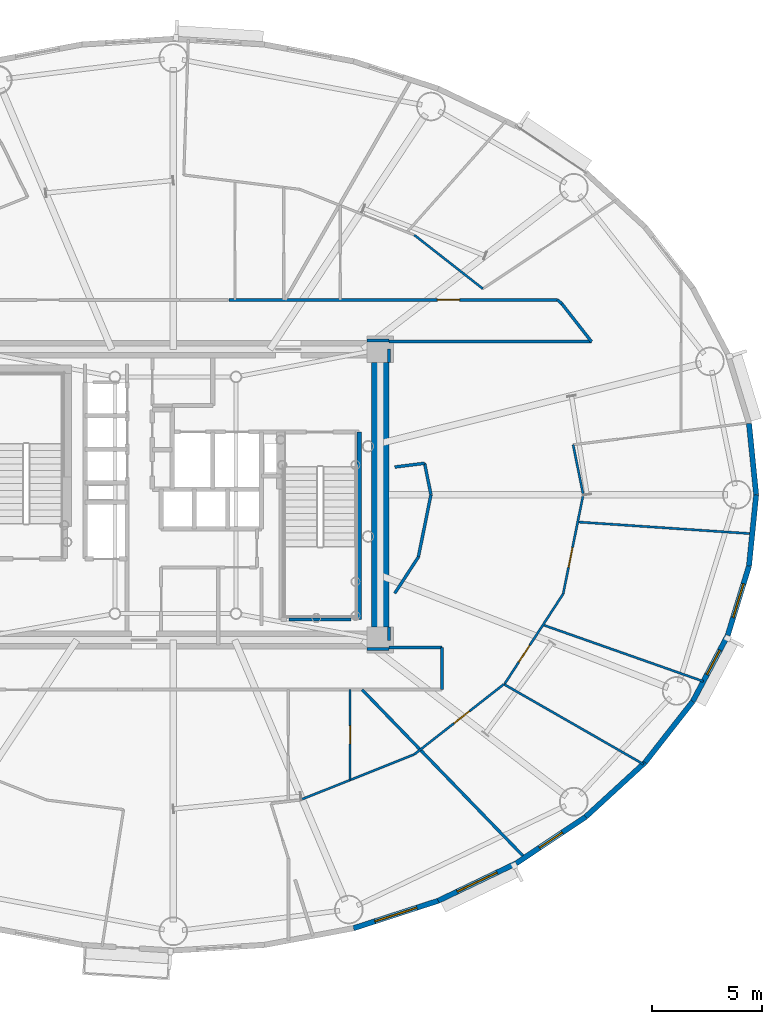
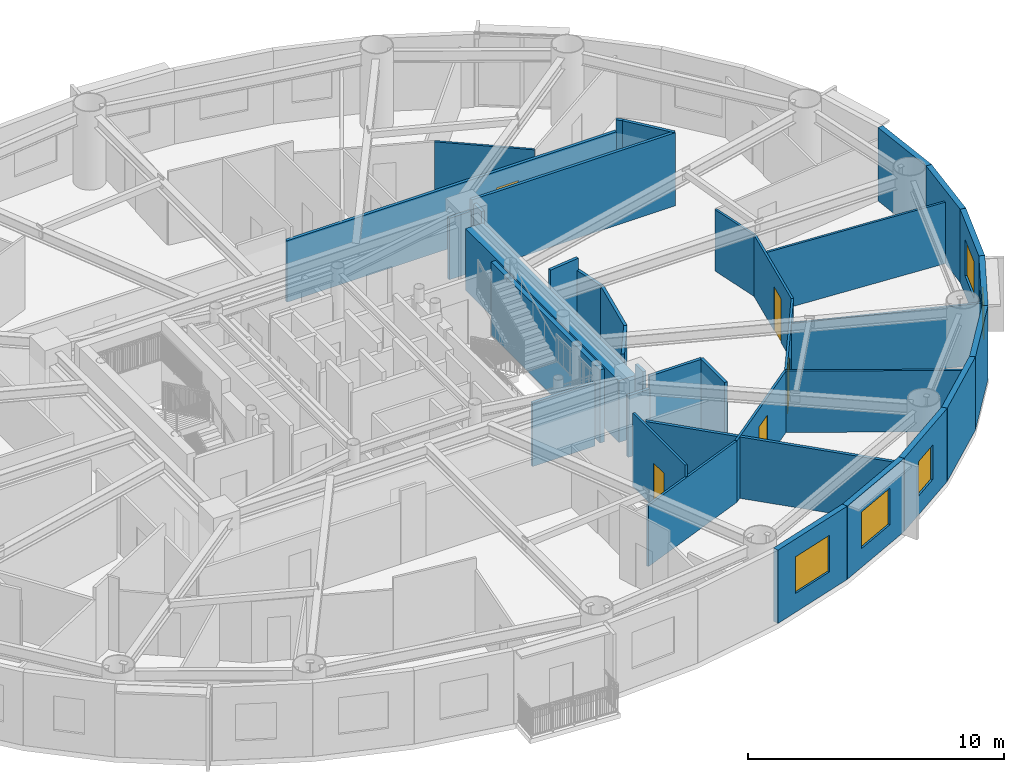
# One storey, part 11 of 19: 37 walls, 5 doors, 5 windows, 10 openings.
"""IFC4 building model written with IfcOpenShell, lengths in metres."""

from ifc_helpers import new_model, si_unit, direction, frame, frame_2d, origin, origin_2d, place, context, subcontext, project, spatial, rectangle, extrude, source, transform, mapped, material, layer, layer_set, type_object, element, fill, save


model = new_model("IFC4")

# Units and contexts
model_context = context("Model", 3, precision=1e-05, world=origin(), true_north=direction((0.0, 1.0)))
body_context = subcontext(model_context, "Body", "Model", "MODEL_VIEW")
ifc_project = project(units=[si_unit("LENGTHUNIT", "METRE"), si_unit("AREAUNIT", "SQUARE_METRE"), si_unit("VOLUMEUNIT", "CUBIC_METRE"), si_unit("PLANEANGLEUNIT", "RADIAN"), si_unit("MASSUNIT", "GRAM", prefix="KILO")], contexts=[model_context])

# Site, building, storey
site_placement = place(None, origin())
site = spatial("IfcSite", under=ifc_project, at=site_placement, CompositionType="ELEMENT")
building_placement = place(site_placement, origin())
building = spatial("IfcBuilding", under=site, at=building_placement, Name="Linh Dai School and Residence Tower", CompositionType="ELEMENT")
storey_placement = place(building_placement, frame((0.0, 0.0, 193.64990234375)))
storey = spatial("IfcBuildingStorey", under=building, at=storey_placement, Name="L47", CompositionType="ELEMENT", Elevation=193.64990234375)

# Wall
ifc_material_1 = material(Name="Precast Concrete B45 (C35/45)", Category="concrete")
ifc_layer_1 = layer(ifc_material_1, 0.239990234375)
ifc_layer_set_1 = layer_set([ifc_layer_1], Name="Precast Concrete B45 (C35/45)")
wall_type_1 = type_object("IfcWallType", Name="EW-TC-240", PredefinedType="SOLIDWALL", material=ifc_layer_set_1)
wall_1_placement = place(storey_placement, frame((62.14990234375, 30.233642578125, 0.0), z_axis=(0.0, 0.0, 1.0), x_axis=(0.100061534614, -0.994981250723, 0.0)))
element("IfcWall", 1, at=wall_1_placement, inside=storey, type_object=wall_type_1, Name="L47 Terracotta Exterior Wall 01", PredefinedType="SOLIDWALL", context=body_context, shape_type="SweptSolid", body=[
    extrude(rectangle(XDim=3.25, YDim=0.239990234375, at=frame_2d((1.625, 0.0))), origin(), (0.0, 0.0, 1.0), 3.5),
])

# Wall, opening, window
wall_2_placement = place(storey_placement, frame((48.02978515625, 8.556396484375, 0.0), z_axis=(0.0, 0.0, 1.0), x_axis=(-0.951209870236, -0.30854462038, 0.0)))
wall_2 = element("IfcWall", 2, at=wall_2_placement, inside=storey, type_object=wall_type_1, Name="L47 Terracotta Exterior Wall 33", PredefinedType="SOLIDWALL", context=body_context, shape_type="SweptSolid", body=[
    extrude(rectangle(XDim=4.037841796875, YDim=0.239990234375, at=frame_2d((2.01904296875, 0.0))), origin(), (0.0, 0.0, 1.0), 3.5),
])
opening_1_placement = place(wall_2_placement, frame((1.01904296875, 0.0, 0.89990234375)))
opening_1 = element("IfcOpeningElement", 3, at=opening_1_placement, cuts=wall_2, Name="Opening W1", PredefinedType="OPENING", context=body_context, shape_type="SweptSolid", body=[
    extrude(rectangle(XDim=2.0, YDim=1.75, at=origin_2d()), frame((1.0, 0.1298828125, 0.875), z_axis=(0.0, -1.0, 0.0), x_axis=(1.0, 0.0, 0.0)), (0.0, 0.0, 1.0), 0.260009765625),
])
ifc_material_2 = material(Name="Double Low-E Insulated Glazing", Category="glass")
window_type_1 = type_object("IfcWindowType", Name="WN-RES-2000x1750", PartitioningType="DOUBLE_PANEL_VERTICAL", PredefinedType="WINDOW", material=ifc_material_2)
shared_shape_1 = source(origin(), body_context, "Body", "SweptSolid", [
    extrude(rectangle(XDim=2.0, YDim=1.75, at=origin_2d()), frame((1.0, 0.030029296875, 0.875), z_axis=(0.0, -1.0, 0.0), x_axis=(1.0, 0.0, 0.0)), (0.0, 0.0, 1.0), 0.06005859375),
])
window_1_placement = place(opening_1_placement, origin())
window_1 = element("IfcWindow", 4, at=window_1_placement, inside=storey, type_object=window_type_1, Name="L47 Exterior Window 33.1", OverallHeight=1.75, OverallWidth=2.0, PartitioningType="DOUBLE_PANEL_VERTICAL", PredefinedType="WINDOW", context=body_context, shape_type="MappedRepresentation", body=[
    mapped(shared_shape_1, transform((0.0, 0.0, 0.0), x_axis=(1.0, 0.0, 0.0), y_axis=(0.0, 1.0, 0.0), z_axis=(0.0, 0.0, 1.0), scale=1.0)),
])
fill(opening_1, window_1)

wall_3_placement = place(storey_placement, frame((51.5732421875, 10.2568359375, 0.0), z_axis=(0.0, 0.0, 1.0), x_axis=(-0.901564733809, -0.432644231155, 0.0)))
wall_3 = element("IfcWall", 5, at=wall_3_placement, inside=storey, type_object=wall_type_1, Name="L47 Terracotta Exterior Wall 34", PredefinedType="SOLIDWALL", context=body_context, shape_type="SweptSolid", body=[
    extrude(rectangle(XDim=3.930419921875, YDim=0.239990234375, at=frame_2d((1.96533203125, 0.0))), origin(), (0.0, 0.0, 1.0), 3.5),
])
opening_2_placement = place(wall_3_placement, frame((0.96533203125, 0.0, 0.89990234375)))
opening_2 = element("IfcOpeningElement", 6, at=opening_2_placement, cuts=wall_3, Name="Opening W1", PredefinedType="OPENING", context=body_context, shape_type="SweptSolid", body=[
    extrude(rectangle(XDim=2.0, YDim=1.75, at=origin_2d()), frame((1.0, 0.1298828125, 0.875), z_axis=(0.0, -1.0, 0.0), x_axis=(1.0, 0.0, 0.0)), (0.0, 0.0, 1.0), 0.260009765625),
])
window_2_placement = place(opening_2_placement, origin())
window_2 = element("IfcWindow", 7, at=window_2_placement, inside=storey, type_object=window_type_1, Name="L47 Exterior Window 34.1", OverallHeight=1.75, OverallWidth=2.0, PartitioningType="DOUBLE_PANEL_VERTICAL", PredefinedType="WINDOW", context=body_context, shape_type="MappedRepresentation", body=[
    mapped(shared_shape_1, transform((0.0, 0.0, 0.0), x_axis=(1.0, 0.0, 0.0), y_axis=(0.0, 1.0, 0.0), z_axis=(0.0, 0.0, 1.0), scale=1.0)),
])
fill(opening_2, window_2)

wall_4_placement = place(storey_placement, frame((54.73193359375, 12.369384765625, 0.0), z_axis=(0.0, 0.0, 1.0), x_axis=(-0.831228998277, -0.555930168657, 0.0)))
wall_4 = element("IfcWall", 8, at=wall_4_placement, inside=storey, type_object=wall_type_1, Name="L47 Terracotta Exterior Wall 35", PredefinedType="SOLIDWALL", context=body_context, shape_type="SweptSolid", body=[
    extrude(rectangle(XDim=3.800048828125, YDim=0.239990234375, at=frame_2d((1.89990234375, 0.0))), origin(), (0.0, 0.0, 1.0), 3.5),
])
opening_3_placement = place(wall_4_placement, frame((1.27490234375, 0.0, 0.89990234375)))
opening_3 = element("IfcOpeningElement", 9, at=opening_3_placement, cuts=wall_4, Name="Opening W3", PredefinedType="OPENING", context=body_context, shape_type="SweptSolid", body=[
    extrude(rectangle(XDim=1.25, YDim=1.64990234375, at=origin_2d()), frame((0.625, 0.1298828125, 0.824951171875), z_axis=(0.0, -1.0, 0.0), x_axis=(1.0, 0.0, 0.0)), (0.0, 0.0, 1.0), 0.260009765625),
])
window_type_2 = type_object("IfcWindowType", Name="WN-RES-1250x1650", PartitioningType="SINGLE_PANEL", PredefinedType="WINDOW", material=ifc_material_2)
shared_shape_2 = source(origin(), body_context, "Body", "SweptSolid", [
    extrude(rectangle(XDim=1.25, YDim=1.64990234375, at=origin_2d()), frame((0.625, 0.030029296875, 0.824951171875), z_axis=(0.0, -1.0, 0.0), x_axis=(1.0, 0.0, 0.0)), (0.0, 0.0, 1.0), 0.06005859375),
])
window_3_placement = place(opening_3_placement, origin())
window_3 = element("IfcWindow", 10, at=window_3_placement, inside=storey, type_object=window_type_2, Name="L47 Dwelling Window U4702-BD1", OverallHeight=1.64990234375, OverallWidth=1.25, PartitioningType="SINGLE_PANEL", PredefinedType="WINDOW", context=body_context, shape_type="MappedRepresentation", body=[
    mapped(shared_shape_2, transform((0.0, 0.0, 0.0), x_axis=(1.0, 0.0, 0.0), y_axis=(0.0, 1.0, 0.0), z_axis=(0.0, 0.0, 1.0), scale=1.0)),
])
fill(opening_3, window_3)

# Walls
wall_5_placement = place(storey_placement, frame((57.42822265625, 14.841552734375, 0.0), z_axis=(0.0, 0.0, 1.0), x_axis=(-0.737076565834, -0.675809245349, 0.0)))
element("IfcWall", 11, at=wall_5_placement, inside=storey, type_object=wall_type_1, Name="L47 Terracotta Exterior Wall 36", PredefinedType="SOLIDWALL", context=body_context, shape_type="SweptSolid", body=[
    extrude(rectangle(XDim=3.658203125, YDim=0.239990234375, at=frame_2d((1.8291015625, 0.0))), origin(), (0.0, 0.0, 1.0), 3.5),
])
wall_6_placement = place(storey_placement, frame((59.595947265625, 17.611572265625, 0.0), z_axis=(0.0, 0.0, 1.0), x_axis=(-0.616287674549, -0.787521112224, 0.0)))
element("IfcWall", 12, at=wall_6_placement, inside=storey, type_object=wall_type_1, Name="L47 Terracotta Exterior Wall 37", PredefinedType="SOLIDWALL", context=body_context, shape_type="SweptSolid", body=[
    extrude(rectangle(XDim=3.517333984375, YDim=0.239990234375, at=frame_2d((1.7587890625, 0.0))), origin(), (0.0, 0.0, 1.0), 3.5),
])

# Wall, opening, window
wall_7_placement = place(storey_placement, frame((61.1826171875, 20.611083984375, 0.0), z_axis=(0.0, 0.0, 1.0), x_axis=(-0.467586874938, -0.88394712194, 0.0)))
wall_7 = element("IfcWall", 13, at=wall_7_placement, inside=storey, type_object=wall_type_1, Name="L47 Terracotta Exterior Wall 38", PredefinedType="SOLIDWALL", context=body_context, shape_type="SweptSolid", body=[
    extrude(rectangle(XDim=3.393310546875, YDim=0.239990234375, at=frame_2d((1.69677734375, 0.0))), origin(), (0.0, 0.0, 1.0), 3.5),
])
opening_4_placement = place(wall_7_placement, frame((0.761962890625, 0.0, 0.89990234375)))
opening_4 = element("IfcOpeningElement", 14, at=opening_4_placement, cuts=wall_7, Name="Opening W3", PredefinedType="OPENING", context=body_context, shape_type="SweptSolid", body=[
    extrude(rectangle(XDim=1.25, YDim=1.64990234375, at=origin_2d()), frame((0.625, 0.1298828125, 0.824951171875), z_axis=(0.0, -1.0, 0.0), x_axis=(1.0, 0.0, 0.0)), (0.0, 0.0, 1.0), 0.260009765625),
])
window_4_placement = place(opening_4_placement, origin())
window_4 = element("IfcWindow", 15, at=window_4_placement, inside=storey, type_object=window_type_2, Name="L47 Exterior Window 38.1", OverallHeight=1.64990234375, OverallWidth=1.25, PartitioningType="SINGLE_PANEL", PredefinedType="WINDOW", context=body_context, shape_type="MappedRepresentation", body=[
    mapped(shared_shape_2, transform((0.0, 0.0, 0.0), x_axis=(1.0, 0.0, 0.0), y_axis=(0.0, 1.0, 0.0), z_axis=(0.0, 0.0, 1.0), scale=1.0)),
])
fill(opening_4, window_4)

wall_8_placement = place(storey_placement, frame((62.14990234375, 23.766357421875, 0.0), z_axis=(0.0, 0.0, 1.0), x_axis=(-0.293097995113, -0.956082405058, 0.0)))
wall_8 = element("IfcWall", 16, at=wall_8_placement, inside=storey, type_object=wall_type_1, Name="L47 Terracotta Exterior Wall 39", PredefinedType="SOLIDWALL", context=body_context, shape_type="SweptSolid", body=[
    extrude(rectangle(XDim=3.30029296875, YDim=0.239990234375, at=frame_2d((1.650146484375, 0.0))), origin(), (0.0, 0.0, 1.0), 3.5),
])
opening_5_placement = place(wall_8_placement, frame((0.85009765625, 0.0, 0.89990234375)))
opening_5 = element("IfcOpeningElement", 17, at=opening_5_placement, cuts=wall_8, Name="Opening W2", PredefinedType="OPENING", context=body_context, shape_type="SweptSolid", body=[
    extrude(rectangle(XDim=1.60009765625, YDim=1.75, at=origin_2d()), frame((0.800048828125, 0.1298828125, 0.875), z_axis=(0.0, -1.0, 0.0), x_axis=(1.0, 0.0, 0.0)), (0.0, 0.0, 1.0), 0.260009765625),
])
window_type_3 = type_object("IfcWindowType", Name="WN-RES-1600x1750", PartitioningType="DOUBLE_PANEL_VERTICAL", PredefinedType="WINDOW", material=ifc_material_2)
shared_shape_3 = source(origin(), body_context, "Body", "SweptSolid", [
    extrude(rectangle(XDim=1.60009765625, YDim=1.75, at=origin_2d()), frame((0.800048828125, 0.030029296875, 0.875), z_axis=(0.0, -1.0, 0.0), x_axis=(1.0, 0.0, 0.0)), (0.0, 0.0, 1.0), 0.06005859375),
])
window_5_placement = place(opening_5_placement, origin())
window_5 = element("IfcWindow", 18, at=window_5_placement, inside=storey, type_object=window_type_3, Name="L47 Exterior Window 39.1", OverallHeight=1.75, OverallWidth=1.60009765625, PartitioningType="DOUBLE_PANEL_VERTICAL", PredefinedType="WINDOW", context=body_context, shape_type="MappedRepresentation", body=[
    mapped(shared_shape_3, transform((0.0, 0.0, 0.0), x_axis=(1.0, 0.0, 0.0), y_axis=(0.0, 1.0, 0.0), z_axis=(0.0, 0.0, 1.0), scale=1.0)),
])
fill(opening_5, window_5)

# Wall
wall_9_placement = place(storey_placement, frame((62.47509765625, 27.0, 0.0), z_axis=(0.0, 0.0, 1.0), x_axis=(-0.100061534614, -0.994981250723, 0.0)))
element("IfcWall", 19, at=wall_9_placement, inside=storey, type_object=wall_type_1, Name="L47 Terracotta Exterior Wall 40", PredefinedType="SOLIDWALL", context=body_context, shape_type="SweptSolid", body=[
    extrude(rectangle(XDim=3.25, YDim=0.239990234375, at=frame_2d((1.625, 0.0))), origin(), (0.0, 0.0, 1.0), 3.5),
])

# Wall, opening, door
ifc_material_3 = material(Name="Autoclaved Aerated Concrete Blockwork", Category="masonry")
ifc_layer_2 = layer(ifc_material_3, 0.135009765625)
ifc_layer_set_2 = layer_set([ifc_layer_2], Name="Autoclaved Aerated Concrete Blockwork")
wall_type_2 = type_object("IfcWallType", Name="IW-CORR-135-EI90", PredefinedType="PARTITIONING", material=ifc_layer_set_2)
wall_10_placement = place(storey_placement, frame((38.541259765625, 35.85009765625, 0.0), z_axis=(0.0, 0.0, 1.0), x_axis=(1.0, 0.0, 0.0)))
wall_10 = element("IfcWall", 20, at=wall_10_placement, inside=storey, type_object=wall_type_2, Name="L47 Interior Partition Wall 058", PredefinedType="PARTITIONING", context=body_context, shape_type="SweptSolid", body=[
    extrude(rectangle(XDim=14.91259765625, YDim=0.135009765625, at=frame_2d((7.456298828125, 0.0))), origin(), (0.0, 0.0, 1.0), 2.93505859375),
])
opening_6_placement = place(wall_10_placement, frame((9.4599609375, 0.0, 0.0)))
opening_6 = element("IfcOpeningElement", 21, at=opening_6_placement, cuts=wall_10, Name="Opening D03", PredefinedType="OPENING", context=body_context, shape_type="SweptSolid", body=[
    extrude(rectangle(XDim=1.0, YDim=2.14990234375, at=origin_2d()), frame((0.5, 0.07763671875, 1.074951171875), z_axis=(0.0, -1.0, 0.0), x_axis=(1.0, 0.0, 0.0)), (0.0, 0.0, 1.0), 0.155029296875),
])
ifc_material_4 = material(Name="Fire-Rated Solid Timber Entrance Door", Category="wood")
door_type_1 = type_object("IfcDoorType", Name="DR-FLAT-1000x2150-FD60S", OperationType="NOTDEFINED", PredefinedType="DOOR", material=ifc_material_4)
shared_shape_4 = source(origin(), body_context, "Body", "SweptSolid", [
    extrude(rectangle(XDim=1.0, YDim=2.14990234375, at=origin_2d()), frame((0.5, 0.02490234375, 1.074951171875), z_axis=(0.0, -1.0, 0.0), x_axis=(1.0, 0.0, 0.0)), (0.0, 0.0, 1.0), 0.050048828125),
])
door_1_placement = place(opening_6_placement, origin())
door_1 = element("IfcDoor", 22, at=door_1_placement, inside=storey, type_object=door_type_1, Name="L47 U4702 Apartment Entrance Door", OperationType="SINGLE_SWING_LEFT", OverallHeight=2.14990234375, OverallWidth=1.0, PredefinedType="DOOR", context=body_context, shape_type="MappedRepresentation", body=[
    mapped(shared_shape_4, transform((0.0, 0.0, 0.0), x_axis=(1.0, 0.0, 0.0), y_axis=(0.0, 1.0, 0.0), z_axis=(0.0, 0.0, 1.0), scale=1.0)),
])
fill(opening_6, door_1)

# Walls
wall_11_placement = place(storey_placement, frame((44.570556640625, 18.14990234375, 0.0), z_axis=(0.0, 0.0, 1.0), x_axis=(0.695670435579, -0.718361082647, 0.0)))
element("IfcWall", 23, at=wall_11_placement, inside=storey, type_object=wall_type_2, Name="L47 Interior Partition Wall 075", PredefinedType="PARTITIONING", context=body_context, shape_type="SweptSolid", body=[
    extrude(rectangle(XDim=10.63037109375, YDim=0.135009765625, at=frame_2d((5.315185546875, 0.0))), origin(), (0.0, 0.0, 1.0), 2.93505859375),
])
wall_12_placement = place(storey_placement, frame((45.800048828125, 20.050048828125, 0.0), z_axis=(0.0, 0.0, 1.0), x_axis=(1.0, 0.0, 0.0)))
element("IfcWall", 24, at=wall_12_placement, inside=storey, type_object=wall_type_2, Name="L47 Interior Partition Wall 076", PredefinedType="PARTITIONING", context=body_context, shape_type="SweptSolid", body=[
    extrude(rectangle(XDim=2.39990234375, YDim=0.135009765625, at=frame_2d((1.199951171875, 0.0))), origin(), (0.0, 0.0, 1.0), 3.5),
])
wall_13_placement = place(storey_placement, frame((45.800048828125, 33.949951171875, 0.0), z_axis=(0.0, 0.0, 1.0), x_axis=(1.0, 0.0, 0.0)))
element("IfcWall", 25, at=wall_13_placement, inside=storey, type_object=wall_type_2, Name="L47 Interior Partition Wall 077", PredefinedType="PARTITIONING", context=body_context, shape_type="SweptSolid", body=[
    extrude(rectangle(XDim=9.197021484375, YDim=0.135009765625, at=frame_2d((4.5986328125, 0.0))), origin(), (0.0, 0.0, 1.0), 3.5),
])
wall_14_placement = place(storey_placement, frame((48.199951171875, 18.14990234375, 0.0), z_axis=(0.0, 0.0, 1.0), x_axis=(0.0, 1.0, 0.0)))
element("IfcWall", 26, at=wall_14_placement, inside=storey, type_object=wall_type_2, Name="L47 Interior Partition Wall 081", PredefinedType="PARTITIONING", context=body_context, shape_type="SweptSolid", body=[
    extrude(rectangle(XDim=1.900146484375, YDim=0.135009765625, at=frame_2d((0.9501953125, 0.0))), origin(), (0.0, 0.0, 1.0), 3.5),
])
wall_15_placement = place(storey_placement, frame((53.453857421875, 35.85009765625, 0.0), z_axis=(0.0, 0.0, 1.0), x_axis=(0.736667385572, -0.676255249913, 0.0)))
element("IfcWall", 27, at=wall_15_placement, inside=storey, type_object=wall_type_2, Name="L47 Interior Partition Wall 086", PredefinedType="PARTITIONING", context=body_context, shape_type="SweptSolid", body=[
    extrude(rectangle(XDim=0.270751953125, YDim=0.135009765625, at=frame_2d((0.13525390625, 0.0))), origin(), (0.0, 0.0, 1.0), 3.5),
])
wall_16_placement = place(storey_placement, frame((53.6533203125, 35.6669921875, 0.0), z_axis=(0.0, 0.0, 1.0), x_axis=(0.616302223209, -0.787509726713, 0.0)))
element("IfcWall", 28, at=wall_16_placement, inside=storey, type_object=wall_type_2, Name="L47 Interior Partition Wall 087", PredefinedType="PARTITIONING", context=body_context, shape_type="SweptSolid", body=[
    extrude(rectangle(XDim=2.180419921875, YDim=0.135009765625, at=frame_2d((1.09033203125, 0.0))), origin(), (0.0, 0.0, 1.0), 3.5),
])
wall_17_placement = place(storey_placement, frame((44.080078125, 21.330078125, 0.0), z_axis=(0.0, 0.0, 1.0), x_axis=(-1.0, 0.0, 0.0)))
element("IfcWall", 29, at=wall_17_placement, inside=storey, type_object=wall_type_2, Name="L47 Interior Partition Wall 093", PredefinedType="PARTITIONING", context=body_context, shape_type="SweptSolid", body=[
    extrude(rectangle(XDim=2.820068359375, YDim=0.135009765625, at=frame_2d((1.41015625, 0.0))), origin(), (0.0, 0.0, 1.0), 3.03515625),
])
for number, where, z_axis, x_axis, name in (
    (30, (45.7900390625, 34.0, 0.0), (0.0, 0.0, 1.0), (-1.0, 0.0, 0.0), "L47 Interior Partition Wall 100"),
    (31, (44.81005859375, 20.0, 0.0), (0.0, 0.0, 1.0), (1.0, 0.0, 0.0), "L47 Interior Partition Wall 105"),
):
    element("IfcWall", number, at=place(storey_placement, frame(where, z_axis=z_axis, x_axis=x_axis)), inside=storey, type_object=wall_type_2, Name=name, PredefinedType="PARTITIONING", context=body_context, shape_type="SweptSolid", body=[
        extrude(rectangle(XDim=0.97998046875, YDim=0.135009765625, at=frame_2d((0.489990234375, 0.0))), origin(), (0.0, 0.0, 1.0), 2.93505859375),
    ])
wall_18_placement = place(storey_placement, frame((46.06005859375, 22.521484375, 0.0), z_axis=(0.0, 0.0, 1.0), x_axis=(0.545342221334, 0.838213494064, 0.0)))
element("IfcWall", 32, at=wall_18_placement, inside=storey, type_object=wall_type_2, Name="L47 Interior Partition Wall 112", PredefinedType="PARTITIONING", context=body_context, shape_type="SweptSolid", body=[
    extrude(rectangle(XDim=1.9638671875, YDim=0.135009765625, at=frame_2d((0.98193359375, 0.0))), origin(), (0.0, 0.0, 1.0), 2.93505859375),
])
wall_19_placement = place(storey_placement, frame((47.131103515625, 24.167724609375, 0.0), z_axis=(0.0, 0.0, 1.0), x_axis=(0.198292837027, 0.980142821625, 0.0)))
element("IfcWall", 33, at=wall_19_placement, inside=storey, type_object=wall_type_2, Name="L47 Interior Partition Wall 113", PredefinedType="PARTITIONING", context=body_context, shape_type="SweptSolid", body=[
    extrude(rectangle(XDim=2.8896484375, YDim=0.135009765625, at=frame_2d((1.44482421875, 0.0))), origin(), (0.0, 0.0, 1.0), 2.93505859375),
])
wall_20_placement = place(storey_placement, frame((47.7041015625, 27.0, 0.0), z_axis=(0.0, 0.0, 1.0), x_axis=(-0.198309620267, 0.980139426056, 0.0)))
element("IfcWall", 34, at=wall_20_placement, inside=storey, type_object=wall_type_2, Name="L47 Interior Partition Wall 114", PredefinedType="PARTITIONING", context=body_context, shape_type="SweptSolid", body=[
    extrude(rectangle(XDim=1.455078125, YDim=0.135009765625, at=frame_2d((0.7275390625, 0.0))), origin(), (0.0, 0.0, 1.0), 2.93505859375),
])
wall_21_placement = place(storey_placement, frame((47.41552734375, 28.42626953125, 0.0), z_axis=(0.0, 0.0, 1.0), x_axis=(-0.992277876714, -0.124034734589, 0.0)))
element("IfcWall", 35, at=wall_21_placement, inside=storey, type_object=wall_type_2, Name="L47 Interior Partition Wall 115", PredefinedType="PARTITIONING", context=body_context, shape_type="SweptSolid", body=[
    extrude(rectangle(XDim=1.365966796875, YDim=0.135009765625, at=frame_2d((0.68310546875, 0.0))), origin(), (0.0, 0.0, 1.0), 3.5),
])
for number, where, z_axis, x_axis, name in (
    (36, (45.800048828125, 33.010009765625, 0.0), (0.0, 0.0, 1.0), (0.0, 1.0, 0.0), "L47 Interior Partition Wall 116"),
    (37, (45.800048828125, 20.37744140625, 0.0), (0.0, 0.0, 1.0), (0.0, 1.0, 0.0), "L47 Interior Partition Wall 117"),
):
    element("IfcWall", number, at=place(storey_placement, frame(where, z_axis=z_axis, x_axis=x_axis)), inside=storey, type_object=wall_type_2, Name=name, PredefinedType="PARTITIONING", context=body_context, shape_type="SweptSolid", body=[
        extrude(rectangle(XDim=0.612548828125, YDim=0.135009765625, at=frame_2d((0.30615234375, 0.0))), origin(), (0.0, 0.0, 1.0), 3.5),
    ])
ifc_material_5 = material(Name="Concrete B45 (C35/45)", Category="concrete")
ifc_layer_3 = layer(ifc_material_5, 0.199951171875)
ifc_layer_set_3 = layer_set([ifc_layer_3], Name="Concrete B45 (C35/45)")
wall_type_3 = type_object("IfcWallType", Name="IW-SHAFT-200-EI120", PredefinedType="PARTITIONING", material=ifc_layer_set_3)
wall_22_placement = place(storey_placement, frame((44.43994140625, 21.330078125, 0.0), z_axis=(0.0, 0.0, 1.0), x_axis=(0.0, 1.0, 0.0)))
element("IfcWall", 38, at=wall_22_placement, inside=storey, type_object=wall_type_3, Name="L47 Interior Partition Wall 074", PredefinedType="PARTITIONING", context=body_context, shape_type="SweptSolid", body=[
    extrude(rectangle(XDim=8.52001953125, YDim=0.199951171875, at=frame_2d((4.260009765625, 0.0))), origin(), (0.0, 0.0, 1.0), 3.5),
])
ifc_material_6 = material(Name="Gypsum Plasterboard Acoustic Stud Partition", Category="masonry")
ifc_layer_4 = layer(ifc_material_6, 0.10009765625)
ifc_layer_set_4 = layer_set([ifc_layer_4], Name="Gypsum Plasterboard Acoustic Stud Partition")
wall_type_4 = type_object("IfcWallType", Name="IW-UNIT-100", PredefinedType="PARTITIONING", material=ifc_layer_set_4)
wall_23_placement = place(storey_placement, frame((41.75390625, 13.132568359375, 0.0), z_axis=(0.0, 0.0, 1.0), x_axis=(0.928798710424, 0.370584613166, 0.0)))
element("IfcWall", 39, at=wall_23_placement, inside=storey, type_object=wall_type_4, Name="L47 Interior Partition Wall 070", PredefinedType="PARTITIONING", context=body_context, shape_type="SweptSolid", body=[
    extrude(rectangle(XDim=5.588623046875, YDim=0.10009765625, at=frame_2d((2.79443359375, 0.0))), origin(), (0.0, 0.0, 1.0), 2.93505859375),
])

# Wall, opening, door
wall_24_placement = place(storey_placement, frame((44.03076171875, 14.041259765625, 0.0), z_axis=(0.0, 0.0, 1.0), x_axis=(0.0, 1.0, 0.0)))
wall_24 = element("IfcWall", 40, at=wall_24_placement, inside=storey, type_object=wall_type_4, Name="L47 Interior Partition Wall 073", PredefinedType="PARTITIONING", context=body_context, shape_type="SweptSolid", body=[
    extrude(rectangle(XDim=4.108642578125, YDim=0.10009765625, at=frame_2d((2.05419921875, 0.0))), origin(), (0.0, 0.0, 1.0), 3.5),
])
opening_7_placement = place(wall_24_placement, frame((1.644287109375, 0.0, 0.0)))
opening_7 = element("IfcOpeningElement", 41, at=opening_7_placement, cuts=wall_24, Name="Opening D06", PredefinedType="OPENING", context=body_context, shape_type="SweptSolid", body=[
    extrude(rectangle(XDim=0.820068359375, YDim=2.10009765625, at=origin_2d()), frame((0.41015625, 0.06005859375, 1.050048828125), z_axis=(0.0, -1.0, 0.0), x_axis=(1.0, 0.0, 0.0)), (0.0, 0.0, 1.0), 0.1201171875),
])
ifc_material_7 = material(Name="Moisture-Resistant Timber Bathroom Door", Category="wood")
door_type_2 = type_object("IfcDoorType", Name="DR-WET-820x2100", OperationType="NOTDEFINED", PredefinedType="DOOR", material=ifc_material_7)
shared_shape_5 = source(origin(), body_context, "Body", "SweptSolid", [
    extrude(rectangle(XDim=0.820068359375, YDim=2.10009765625, at=origin_2d()), frame((0.41015625, 0.02490234375, 1.050048828125), z_axis=(0.0, -1.0, 0.0), x_axis=(1.0, 0.0, 0.0)), (0.0, 0.0, 1.0), 0.050048828125),
])
door_2_placement = place(opening_7_placement, origin())
door_2 = element("IfcDoor", 42, at=door_2_placement, inside=storey, type_object=door_type_2, Name="L47 Apartment U4701 Bathroom 1 Door", OperationType="SINGLE_SWING_RIGHT", OverallHeight=2.10009765625, OverallWidth=0.820068359375, PredefinedType="DOOR", context=body_context, shape_type="MappedRepresentation", body=[
    mapped(shared_shape_5, transform((0.0, 0.0, 0.0), x_axis=(1.0, 0.0, 0.0), y_axis=(0.0, 1.0, 0.0), z_axis=(0.0, 0.0, 1.0), scale=1.0)),
])
fill(opening_7, door_2)

wall_25_placement = place(storey_placement, frame((46.944580078125, 15.20361328125, 0.0), z_axis=(0.0, 0.0, 1.0), x_axis=(0.787319701233, 0.616544960282, 0.0)))
wall_25 = element("IfcWall", 43, at=wall_25_placement, inside=storey, type_object=wall_type_4, Name="L47 Interior Partition Wall 079", PredefinedType="PARTITIONING", context=body_context, shape_type="SweptSolid", body=[
    extrude(rectangle(XDim=5.17236328125, YDim=0.10009765625, at=frame_2d((2.586181640625, 0.0))), origin(), (0.0, 0.0, 1.0), 2.93505859375),
])
opening_8_placement = place(wall_25_placement, frame((2.289306640625, 0.0, 0.0)))
opening_8 = element("IfcOpeningElement", 44, at=opening_8_placement, cuts=wall_25, Name="Opening D05", PredefinedType="OPENING", context=body_context, shape_type="SweptSolid", body=[
    extrude(rectangle(XDim=0.89990234375, YDim=2.10009765625, at=origin_2d()), frame((0.449951171875, 0.06005859375, 1.050048828125), z_axis=(0.0, -1.0, 0.0), x_axis=(1.0, 0.0, 0.0)), (0.0, 0.0, 1.0), 0.1201171875),
])
ifc_material_8 = material(Name="Engineered Timber Internal Door", Category="wood")
door_type_3 = type_object("IfcDoorType", Name="DR-INT-900x2100", OperationType="NOTDEFINED", PredefinedType="DOOR", material=ifc_material_8)
shared_shape_6 = source(origin(), body_context, "Body", "SweptSolid", [
    extrude(rectangle(XDim=0.89990234375, YDim=2.10009765625, at=origin_2d()), frame((0.449951171875, 0.02490234375, 1.050048828125), z_axis=(0.0, -1.0, 0.0), x_axis=(1.0, 0.0, 0.0)), (0.0, 0.0, 1.0), 0.050048828125),
])
door_3_placement = place(opening_8_placement, origin())
door_3 = element("IfcDoor", 45, at=door_3_placement, inside=storey, type_object=door_type_3, Name="L47 Apartment U4702 Principal Bedroom 1 Door", OperationType="SINGLE_SWING_RIGHT", OverallHeight=2.10009765625, OverallWidth=0.89990234375, PredefinedType="DOOR", context=body_context, shape_type="MappedRepresentation", body=[
    mapped(shared_shape_6, transform((0.0, 0.0, 0.0), x_axis=(1.0, 0.0, 0.0), y_axis=(0.0, 1.0, 0.0), z_axis=(0.0, 0.0, 1.0), scale=1.0)),
])
fill(opening_8, door_3)

# Walls
wall_26_placement = place(storey_placement, frame((46.944580078125, 38.79638671875, 0.0), z_axis=(0.0, 0.0, 1.0), x_axis=(0.787314896848, -0.616551095369, 0.0)))
element("IfcWall", 46, at=wall_26_placement, inside=storey, type_object=wall_type_4, Name="L47 Interior Partition Wall 080", PredefinedType="PARTITIONING", context=body_context, shape_type="SweptSolid", body=[
    extrude(rectangle(XDim=3.95751953125, YDim=0.10009765625, at=frame_2d((1.978759765625, 0.0))), origin(), (0.0, 0.0, 1.0), 2.93505859375),
])
wall_27_placement = place(storey_placement, frame((51.016845703125, 18.392578125, 0.0), z_axis=(0.0, 0.0, 1.0), x_axis=(0.867591997953, -0.497276708773, 0.0)))
element("IfcWall", 47, at=wall_27_placement, inside=storey, type_object=wall_type_4, Name="L47 Interior Partition Wall 083", PredefinedType="PARTITIONING", context=body_context, shape_type="SweptSolid", body=[
    extrude(rectangle(XDim=7.299560546875, YDim=0.10009765625, at=frame_2d((3.64990234375, 0.0))), origin(), (0.0, 0.0, 1.0), 2.93505859375),
])

# Wall, opening, door
wall_28_placement = place(storey_placement, frame((51.06396484375, 18.429443359375, 0.0), z_axis=(0.0, 0.0, 1.0), x_axis=(0.545382906853, 0.838187022634, 0.0)))
wall_28 = element("IfcWall", 48, at=wall_28_placement, inside=storey, type_object=wall_type_4, Name="L47 Interior Partition Wall 084", PredefinedType="PARTITIONING", context=body_context, shape_type="SweptSolid", body=[
    extrude(rectangle(XDim=4.849365234375, YDim=0.10009765625, at=frame_2d((2.4248046875, 0.0))), origin(), (0.0, 0.0, 1.0), 2.93505859375),
])
opening_9_placement = place(wall_28_placement, frame((1.155029296875, 0.0, 0.0)))
opening_9 = element("IfcOpeningElement", 49, at=opening_9_placement, cuts=wall_28, Name="Opening D05", PredefinedType="OPENING", context=body_context, shape_type="SweptSolid", body=[
    extrude(rectangle(XDim=0.89990234375, YDim=2.10009765625, at=origin_2d()), frame((0.449951171875, 0.06005859375, 1.050048828125), z_axis=(0.0, -1.0, 0.0), x_axis=(1.0, 0.0, 0.0)), (0.0, 0.0, 1.0), 0.1201171875),
])
door_4_placement = place(opening_9_placement, origin())
door_4 = element("IfcDoor", 50, at=door_4_placement, inside=storey, type_object=door_type_3, Name="L47 Apartment U4702 Study Door", OperationType="SINGLE_SWING_LEFT", OverallHeight=2.10009765625, OverallWidth=0.89990234375, PredefinedType="DOOR", context=body_context, shape_type="MappedRepresentation", body=[
    mapped(shared_shape_6, transform((0.0, 0.0, 0.0), x_axis=(1.0, 0.0, 0.0), y_axis=(0.0, 1.0, 0.0), z_axis=(0.0, 0.0, 1.0), scale=1.0)),
])
fill(opening_9, door_4)

# Wall
wall_29_placement = place(storey_placement, frame((52.792724609375, 21.086669921875, 0.0), z_axis=(0.0, 0.0, 1.0), x_axis=(0.94322572083, -0.33215243423, 0.0)))
element("IfcWall", 51, at=wall_29_placement, inside=storey, type_object=wall_type_4, Name="L47 Interior Partition Wall 085", PredefinedType="PARTITIONING", context=body_context, shape_type="SweptSolid", body=[
    extrude(rectangle(XDim=7.72802734375, YDim=0.10009765625, at=frame_2d((3.864013671875, 0.0))), origin(), (0.0, 0.0, 1.0), 2.93505859375),
])

# Wall, opening, door
wall_30_placement = place(storey_placement, frame((53.708740234375, 22.494140625, 0.0), z_axis=(0.0, 0.0, 1.0), x_axis=(0.19825018224, 0.980151450155, 0.0)))
wall_30 = element("IfcWall", 52, at=wall_30_placement, inside=storey, type_object=wall_type_4, Name="L47 Interior Partition Wall 088", PredefinedType="PARTITIONING", context=body_context, shape_type="SweptSolid", body=[
    extrude(rectangle(XDim=4.59716796875, YDim=0.10009765625, at=frame_2d((2.298583984375, 0.0))), origin(), (0.0, 0.0, 1.0), 2.93505859375),
])
opening_10_placement = place(wall_30_placement, frame((1.236572265625, 0.0, 0.0)))
opening_10 = element("IfcOpeningElement", 53, at=opening_10_placement, cuts=wall_30, Name="Opening D05", PredefinedType="OPENING", context=body_context, shape_type="SweptSolid", body=[
    extrude(rectangle(XDim=0.89990234375, YDim=2.10009765625, at=origin_2d()), frame((0.449951171875, 0.06005859375, 1.050048828125), z_axis=(0.0, -1.0, 0.0), x_axis=(1.0, 0.0, 0.0)), (0.0, 0.0, 1.0), 0.1201171875),
])
door_5_placement = place(opening_10_placement, origin())
door_5 = element("IfcDoor", 54, at=door_5_placement, inside=storey, type_object=door_type_3, Name="L47 Apartment U4702 Principal Bedroom 2 Door", OperationType="SINGLE_SWING_RIGHT", OverallHeight=2.10009765625, OverallWidth=0.89990234375, PredefinedType="DOOR", context=body_context, shape_type="MappedRepresentation", body=[
    mapped(shared_shape_6, transform((0.0, 0.0, 0.0), x_axis=(1.0, 0.0, 0.0), y_axis=(0.0, 1.0, 0.0), z_axis=(0.0, 0.0, 1.0), scale=1.0)),
])
fill(opening_10, door_5)

# Walls
wall_31_placement = place(storey_placement, frame((54.1611328125, 29.26904296875, 0.0), z_axis=(0.0, 0.0, 1.0), x_axis=(0.198265432228, -0.980148365495, 0.0)))
element("IfcWall", 55, at=wall_31_placement, inside=storey, type_object=wall_type_4, Name="L47 Interior Partition Wall 089", PredefinedType="PARTITIONING", context=body_context, shape_type="SweptSolid", body=[
    extrude(rectangle(XDim=2.31494140625, YDim=0.10009765625, at=frame_2d((1.157470703125, 0.0))), origin(), (0.0, 0.0, 1.0), 2.93505859375),
])
wall_32_placement = place(storey_placement, frame((54.369384765625, 25.76123046875, 0.0), z_axis=(0.0, 0.0, 1.0), x_axis=(0.99773610993, -0.06725068729, 0.0)))
element("IfcWall", 56, at=wall_32_placement, inside=storey, type_object=wall_type_4, Name="L47 Interior Partition Wall 091", PredefinedType="PARTITIONING", context=body_context, shape_type="SweptSolid", body=[
    extrude(rectangle(XDim=7.950439453125, YDim=0.10009765625, at=frame_2d((3.97509765625, 0.0))), origin(), (0.0, 0.0, 1.0), 2.93505859375),
])
ifc_material_9 = material(Name="Concrete B60 (C50/60)", Category="concrete")
ifc_layer_5 = layer(ifc_material_9, 0.800048828125)
ifc_layer_set_5 = layer_set([ifc_layer_5], Name="Concrete B60 (C50/60)")
wall_type_5 = type_object("IfcWallType", Name="WL-CORE800", PredefinedType="SHEAR", material=ifc_layer_set_5)
wall_33_placement = place(storey_placement, frame((45.39990234375, 33.0, 0.0), z_axis=(0.0, 0.0, 1.0), x_axis=(0.0, -1.0, 0.0)))
element("IfcWall", 57, at=wall_33_placement, inside=storey, type_object=wall_type_5, Name="L47 Central Core Shear Wall E", PredefinedType="SHEAR", context=body_context, shape_type="SweptSolid", body=[
    extrude(rectangle(XDim=12.0, YDim=0.800048828125, at=frame_2d((6.0, 0.0))), origin(), (0.0, 0.0, 1.0), 2.9501953125),
])

save(model, "model.ifc")
